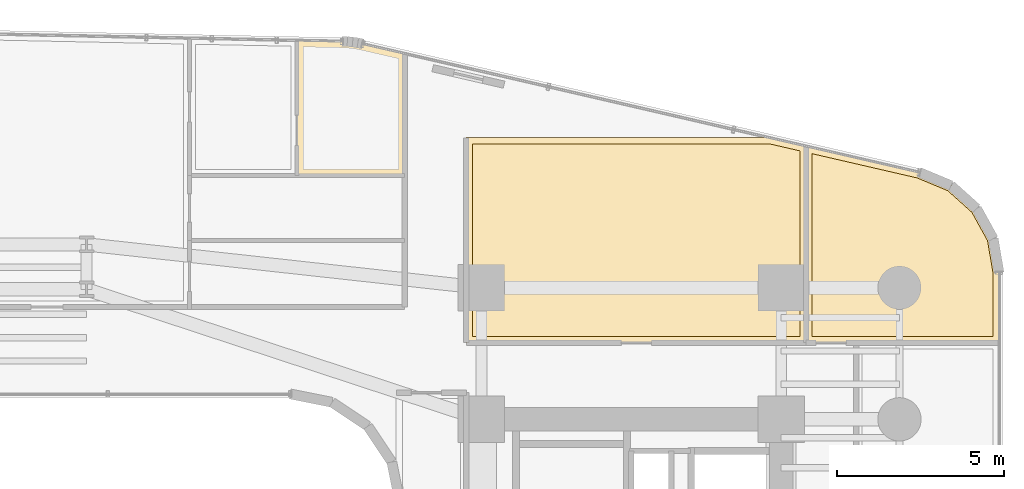
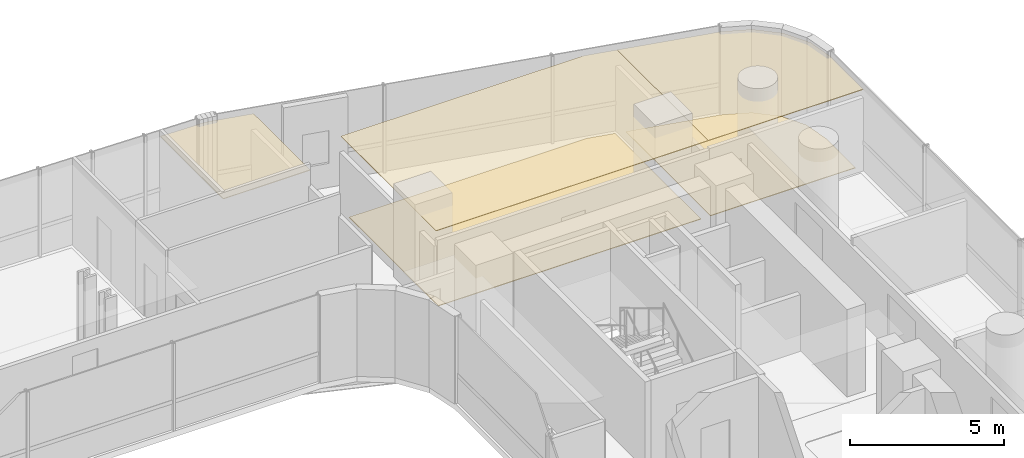
# One storey, part 40 of 40: 5 coverings.
"""IFC4 building model written with IfcOpenShell, lengths in metres."""

from ifc_helpers import new_model, si_unit, direction, frame, origin, place, context, subcontext, project, spatial, polyline, outline, extrude, material, layer, layer_set, type_object, element, save


model = new_model("IFC4")

# Units and contexts
model_context = context("Model", 3, precision=1e-05, world=origin(), true_north=direction((0.0, 1.0)))
body_context = subcontext(model_context, "Body", "Model", "MODEL_VIEW")
ifc_project = project(units=[si_unit("LENGTHUNIT", "METRE"), si_unit("AREAUNIT", "SQUARE_METRE"), si_unit("VOLUMEUNIT", "CUBIC_METRE"), si_unit("PLANEANGLEUNIT", "RADIAN"), si_unit("MASSUNIT", "GRAM", prefix="KILO")], contexts=[model_context])

# Site, building, storey
site_placement = place(None, origin())
site = spatial("IfcSite", under=ifc_project, at=site_placement, CompositionType="ELEMENT")
building_placement = place(site_placement, origin())
building = spatial("IfcBuilding", under=site, at=building_placement, Name="Valdorenza Pilgrim Sanctuary Tower", CompositionType="ELEMENT")
storey_placement = place(building_placement, frame((0.0, 0.0, 40.800048828125)))
storey = spatial("IfcBuildingStorey", under=building, at=storey_placement, Name="L09", CompositionType="ELEMENT", Elevation=40.800048828125)

# Coverings
ifc_material_1 = material(Name="Micro-perforated acoustic mineral ceiling tile", Category="gypsum")
ifc_layer_1 = layer(ifc_material_1, 0.02490234375, Name="Micro-perforated acoustic mineral ceiling tile")
ifc_layer_set_1 = layer_set([ifc_layer_1], Name="Micro-perforated acoustic mineral ceiling tile")
covering_type_1 = type_object("IfcCoveringType", Name="COV-CLG-ACU", PredefinedType="CEILING", material=ifc_layer_set_1)
covering_1_placement = place(storey_placement, frame((0.0, 0.0, 3.159912109375)))
element("IfcCovering", 1, at=covering_1_placement, inside=storey, type_object=covering_type_1, Name="L09 North Family Flat L09-N3 Bedroom 2 Acoustic Ceiling", PredefinedType="CEILING", context=body_context, shape_type="SweptSolid", body=[
    extrude(outline(polyline([(10.322509765625, 16.85498046875), (10.32080078125, 16.85498046875), (10.319580078125, 16.855224609375), (10.318115234375, 16.855712890625), (10.316650390625, 16.856201171875), (10.315185546875, 16.856689453125), (10.314208984375, 16.857421875), (10.31298828125, 16.8583984375), (10.311767578125, 16.859375), (10.310791015625, 16.860595703125), (10.309814453125, 16.86181640625), (10.30908203125, 16.86279296875), (10.30859375, 16.8642578125), (10.30810546875, 16.865478515625), (10.3076171875, 16.8671875), (10.3076171875, 16.868408203125), (10.307373046875, 16.8701171875), (10.307373046875, 20.9248046875), (10.3076171875, 20.926513671875), (10.3076171875, 20.927978515625), (10.30810546875, 20.92919921875), (10.30859375, 20.930908203125), (10.30908203125, 20.93212890625), (10.31005859375, 20.933349609375), (10.310791015625, 20.9345703125), (10.31201171875, 20.935791015625), (10.31298828125, 20.9365234375), (10.314208984375, 20.9375), (10.3154296875, 20.938232421875), (10.31689453125, 20.93896484375), (10.318359375, 20.939453125), (10.319580078125, 20.939697265625), (10.3212890625, 20.93994140625), (10.32275390625, 20.93994140625), (11.666015625, 20.912109375), (11.66650390625, 20.911865234375), (11.82666015625, 20.904296875), (11.827392578125, 20.904296875), (11.98583984375, 20.888916015625), (11.986572265625, 20.888671875), (12.143798828125, 20.864990234375), (12.14453125, 20.864990234375), (12.302001953125, 20.832763671875), (12.30224609375, 20.832763671875), (13.553466796875, 20.5439453125), (13.5546875, 20.543701171875), (13.55615234375, 20.543212890625), (13.557373046875, 20.54248046875), (13.55859375, 20.541748046875), (13.559814453125, 20.540771484375), (13.560791015625, 20.539794921875), (13.561767578125, 20.538818359375), (13.5625, 20.53759765625), (13.563232421875, 20.536376953125), (13.56396484375, 20.534912109375), (13.564453125, 20.53369140625), (13.564697265625, 20.5322265625), (13.56494140625, 20.53076171875), (13.56494140625, 20.529296875), (13.56494140625, 16.8701171875), (13.56494140625, 16.868408203125), (13.564697265625, 16.8671875), (13.564453125, 16.865478515625), (13.56396484375, 16.8642578125), (13.563232421875, 16.86279296875), (13.5625, 16.86181640625), (13.5615234375, 16.860595703125), (13.560546875, 16.859375), (13.5595703125, 16.8583984375), (13.558349609375, 16.857421875), (13.55712890625, 16.856689453125), (13.5556640625, 16.856201171875), (13.554443359375, 16.855712890625), (13.552978515625, 16.855224609375), (13.551513671875, 16.85498046875), (13.550048828125, 16.85498046875), (10.322509765625, 16.85498046875)])), origin(), (0.0, 0.0, 1.0), 0.025146484375),
])
covering_2_placement = place(storey_placement, frame((0.0, 0.0, 3.159912109375)))
element("IfcCovering", 2, at=covering_2_placement, inside=storey, type_object=covering_type_1, Name="L09 Curator Research Office L09-BN1 Acoustic Ceiling", PredefinedType="CEILING", context=body_context, shape_type="SweptSolid", body=[
    extrude(outline(polyline([(15.39990234375, 11.8349609375), (15.3984375, 11.835205078125), (15.397216796875, 11.835205078125), (15.3955078125, 11.835693359375), (15.394287109375, 11.836181640625), (15.392822265625, 11.8369140625), (15.3916015625, 11.83740234375), (15.390380859375, 11.83837890625), (15.389404296875, 11.83935546875), (15.388427734375, 11.840576171875), (15.387451171875, 11.841796875), (15.38671875, 11.843017578125), (15.385986328125, 11.84423828125), (15.385498046875, 11.845703125), (15.38525390625, 11.84716796875), (15.385009765625, 11.848388671875), (15.385009765625, 11.85009765625), (15.385009765625, 18.0), (15.385009765625, 18.00146484375), (15.38525390625, 18.0029296875), (15.385498046875, 18.00439453125), (15.385986328125, 18.005615234375), (15.38671875, 18.007080078125), (15.387451171875, 18.00830078125), (15.388427734375, 18.009521484375), (15.389404296875, 18.010498046875), (15.390380859375, 18.01171875), (15.3916015625, 18.012451171875), (15.392822265625, 18.01318359375), (15.394287109375, 18.013916015625), (15.3955078125, 18.014404296875), (15.397216796875, 18.0146484375), (15.3984375, 18.014892578125), (15.39990234375, 18.014892578125), (24.5107421875, 18.014892578125), (24.512451171875, 18.014892578125), (24.51416015625, 18.0146484375), (25.603515625, 17.76318359375), (25.604736328125, 17.762939453125), (25.606201171875, 17.76220703125), (25.607421875, 17.76171875), (25.608642578125, 17.760986328125), (25.609619140625, 17.760009765625), (25.61083984375, 17.759033203125), (25.61181640625, 17.758056640625), (25.612548828125, 17.7568359375), (25.61328125, 17.755615234375), (25.614013671875, 17.75439453125), (25.614501953125, 17.7529296875), (25.61474609375, 17.75146484375), (25.614990234375, 17.75), (25.614990234375, 17.74853515625), (25.614990234375, 11.85009765625), (25.614990234375, 11.848388671875), (25.61474609375, 11.84716796875), (25.614501953125, 11.845703125), (25.614013671875, 11.84423828125), (25.61328125, 11.843017578125), (25.612548828125, 11.841796875), (25.611572265625, 11.840576171875), (25.610595703125, 11.83935546875), (25.609619140625, 11.83837890625), (25.6083984375, 11.83740234375), (25.607177734375, 11.8369140625), (25.605712890625, 11.836181640625), (25.6044921875, 11.835693359375), (25.602783203125, 11.835205078125), (25.6015625, 11.835205078125), (25.60009765625, 11.8349609375), (15.39990234375, 11.8349609375)])), origin(), (0.0, 0.0, 1.0), 0.025146484375),
])
covering_3_placement = place(storey_placement, frame((0.0, 0.0, 3.159912109375)))
element("IfcCovering", 3, at=covering_3_placement, inside=storey, type_object=covering_type_1, Name="L09 East Wing Reference Library L09-BNE Acoustic Ceiling", PredefinedType="CEILING", context=body_context, shape_type="SweptSolid", body=[
    extrude(outline(polyline([(28.9892578125, 16.98193359375), (28.990478515625, 16.981689453125), (28.99169921875, 16.981201171875), (29.95361328125, 16.580322265625), (29.955078125, 16.57958984375), (29.95654296875, 16.57861328125), (29.9580078125, 16.57763671875), (30.72705078125, 15.88818359375), (30.728271484375, 15.886962890625), (30.729248046875, 15.8857421875), (30.72998046875, 15.88427734375), (31.22900390625, 14.97998046875), (31.2294921875, 14.978271484375), (31.230224609375, 14.976806640625), (31.230712890625, 14.97509765625), (31.40478515625, 13.947509765625), (31.40478515625, 13.9462890625), (31.405029296875, 13.945068359375), (31.405029296875, 11.85009765625), (31.40478515625, 11.848388671875), (31.40478515625, 11.84716796875), (31.404296875, 11.845703125), (31.40380859375, 11.84423828125), (31.4033203125, 11.843017578125), (31.402587890625, 11.841796875), (31.401611328125, 11.840576171875), (31.400634765625, 11.83935546875), (31.3994140625, 11.83837890625), (31.398193359375, 11.83740234375), (31.397216796875, 11.8369140625), (31.395751953125, 11.836181640625), (31.394287109375, 11.835693359375), (31.392822265625, 11.835205078125), (31.3916015625, 11.835205078125), (31.389892578125, 11.8349609375), (25.60205078125, 11.8349609375), (25.6005859375, 11.835205078125), (25.59912109375, 11.835205078125), (25.59765625, 11.835693359375), (25.59619140625, 11.836181640625), (25.594970703125, 11.8369140625), (25.59375, 11.83740234375), (25.592529296875, 11.83837890625), (25.59130859375, 11.83935546875), (25.59033203125, 11.840576171875), (25.589599609375, 11.841796875), (25.5888671875, 11.843017578125), (25.588134765625, 11.84423828125), (25.587646484375, 11.845703125), (25.58740234375, 11.84716796875), (25.587158203125, 11.848388671875), (25.5869140625, 11.85009765625), (25.5869140625, 17.748291015625), (25.587158203125, 17.749755859375), (25.58740234375, 17.751220703125), (25.587646484375, 17.752685546875), (25.588134765625, 17.75390625), (25.5888671875, 17.75537109375), (25.589599609375, 17.756591796875), (25.590576171875, 17.7578125), (25.591552734375, 17.7587890625), (25.5927734375, 17.760009765625), (25.593994140625, 17.7607421875), (25.59521484375, 17.761474609375), (25.596435546875, 17.76220703125), (25.597900390625, 17.7626953125), (25.599365234375, 17.762939453125), (25.600830078125, 17.76318359375), (25.602294921875, 17.76318359375), (25.60400390625, 17.76318359375), (25.60546875, 17.7626953125), (28.9892578125, 16.98193359375)])), origin(), (0.0, 0.0, 1.0), 0.025146484375),
])
ifc_material_2 = material(Name="Honed travertine stone flooring", Category="masonry")
ifc_layer_2 = layer(ifc_material_2, 0.030029296875, Name="Honed travertine stone flooring")
ifc_layer_set_2 = layer_set([ifc_layer_2], Name="Honed travertine stone flooring")
covering_type_2 = type_object("IfcCoveringType", Name="COV-FLR-TRV", PredefinedType="FLOORING", material=ifc_layer_set_2)
covering_4_placement = place(storey_placement, origin())
element("IfcCovering", 4, at=covering_4_placement, inside=storey, type_object=covering_type_2, Name="L09 Curator Research Office L09-BN1 Flooring", PredefinedType="FLOORING", context=body_context, shape_type="SweptSolid", body=[
    extrude(outline(polyline([(15.580078125, 12.030029296875), (15.580078125, 17.820068359375), (24.490234375, 17.820068359375), (25.419921875, 17.60546875), (25.419921875, 12.030029296875), (15.580078125, 12.030029296875)])), origin(), (0.0, 0.0, 1.0), 0.02490234375),
])
covering_5_placement = place(storey_placement, origin())
element("IfcCovering", 5, at=covering_5_placement, inside=storey, type_object=covering_type_2, Name="L09 East Wing Reference Library L09-BNE Flooring", PredefinedType="FLOORING", context=body_context, shape_type="SweptSolid", body=[
    extrude(outline(polyline([(28.9306640625, 16.79541015625), (29.8505859375, 16.412109375), (30.57421875, 15.763427734375), (31.04345703125, 14.912353515625), (31.2099609375, 13.929931640625), (31.2099609375, 12.030029296875), (25.781982421875, 12.030029296875), (25.781982421875, 17.52197265625), (28.9306640625, 16.79541015625)])), origin(), (0.0, 0.0, 1.0), 0.02490234375),
])

save(model, "model.ifc")
